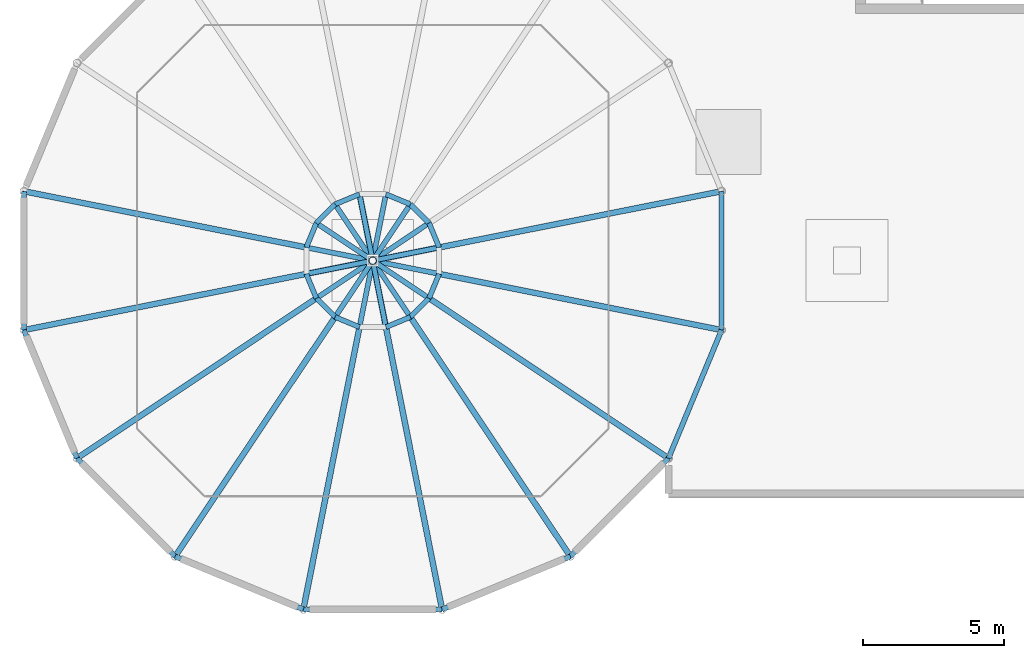
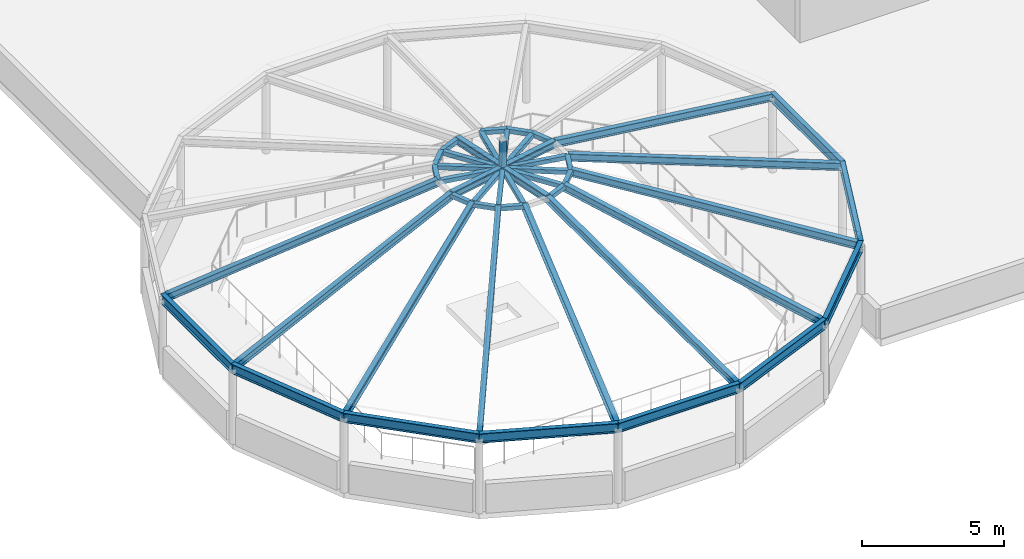
# One storey, part 14 of 85: 39 members, 11 beams.
"""IFC4 building model written with IfcOpenShell, lengths in metres."""

from ifc_helpers import new_model, si_unit, direction, frame, origin, origin_2d, place, context, subcontext, project, spatial, hollow_rectangle, hollow_circle, i_section, extrude, material, material_profile, profile_set, type_object, element, save


model = new_model("IFC4")

# Units and contexts
model_context = context("Model", 3, precision=1e-05, world=origin(), true_north=direction((0.0, 1.0)))
body_context = subcontext(model_context, "Body", "Model", "MODEL_VIEW")
ifc_project = project(units=[si_unit("LENGTHUNIT", "METRE"), si_unit("AREAUNIT", "SQUARE_METRE"), si_unit("VOLUMEUNIT", "CUBIC_METRE"), si_unit("PLANEANGLEUNIT", "RADIAN"), si_unit("MASSUNIT", "GRAM", prefix="KILO")], contexts=[model_context])

# Site, building, storey
site_placement = place(None, origin())
site = spatial("IfcSite", under=ifc_project, at=site_placement, CompositionType="ELEMENT")
building_placement = place(site_placement, origin())
building = spatial("IfcBuilding", under=site, at=building_placement, Name="Almacenes y Pasaje Nevantli", CompositionType="ELEMENT")
storey_placement = place(building_placement, frame((0.0, 0.0, 22.199951171875)))
storey = spatial("IfcBuildingStorey", under=building, at=storey_placement, Name="L05", CompositionType="ELEMENT", Elevation=22.199951171875)

# Beams
ifc_material_1 = material(Name="Steel ASTM A992", Category="steel")
ifc_material_profile_1 = material_profile(ifc_material_1, i_section(OverallWidth=0.202880859375, OverallDepth=0.304931640625, WebThickness=0.007568359375, FlangeThickness=0.01318359375, at=origin_2d()), Name="IR 305x59.5")
ifc_profile_set_1 = profile_set([ifc_material_profile_1], Name="Steel ASTM A992")
beam_type_1 = type_object("IfcBeamType", Name="BM-STL-IR-305x59p5", PredefinedType="JOIST", material=ifc_profile_set_1)
for number, where, z_axis, x_axis, name in (
    (1, (10.75390625, 8.8681640625, 5.900146484375), (-0.980791383776, -0.195059635782, 0.0), (0.195059635782, -0.980791383776, 0.0), "Rotunda Lantern Dome Crown Cross Beam A"),
    (2, (7.931884765625, 10.75390625, 5.900146484375), (0.195059635782, -0.980791383776, 0.0), (0.980791383776, 0.195059635782, 0.0), "Rotunda Lantern Dome Crown Cross Beam B"),
):
    element("IfcBeam", number, at=place(storey_placement, frame(where, z_axis=z_axis, x_axis=x_axis)), inside=storey, type_object=beam_type_1, Name=name, PredefinedType="JOIST", context=body_context, shape_type="SweptSolid", body=[
        extrude(i_section(OverallWidth=0.202880859375, OverallDepth=0.304931640625, WebThickness=0.007568359375, FlangeThickness=0.01318359375, at=origin_2d()), origin(), (0.0, 0.0, 1.0), 4.800048828125),
    ])
ifc_material_2 = material(Name="Steel ASTM A992", Category="steel")
ifc_material_profile_2 = material_profile(ifc_material_2, i_section(OverallWidth=0.180908203125, OverallDepth=0.406005859375, WebThickness=0.010986328125, FlangeThickness=0.018310546875, at=origin_2d()), Name="IR 406x85.0")
ifc_profile_set_2 = profile_set([ifc_material_profile_2], Name="Steel ASTM A992")
beam_type_2 = type_object("IfcBeamType", Name="BM-STL-IR-406x85p0", PredefinedType="BEAM", material=ifc_profile_set_2)
for number, where, z_axis, x_axis, name in (
    (3, (-3.9580078125, 10.858154296875, 3.199951171875), (0.0, -1.0, 0.0), (1.0, 0.0, 0.0), "Rotunda Lantern Dome Eave Ring Beam #8"),
    (4, (-3.9580078125, 5.94189453125, 3.199951171875), (0.38272458482, -0.923862485532, 0.0), (0.923862485532, 0.38272458482, 0.0), "Rotunda Lantern Dome Eave Ring Beam #9"),
    (5, (-2.076416015625, 1.39990234375, 3.199951171875), (0.707106781187, -0.707106781187, 0.0), (0.707106781187, 0.707106781187, 0.0), "Rotunda Lantern Dome Eave Ring Beam #10"),
    (6, (1.39990234375, -2.076416015625, 3.199951171875), (0.923862485532, -0.38272458482, 0.0), (0.38272458482, 0.923862485532, 0.0), "Rotunda Lantern Dome Eave Ring Beam #11"),
    (7, (5.94189453125, -3.9580078125, 3.199951171875), (1.0, 0.0, 0.0), (0.0, 1.0, 0.0), "Rotunda Lantern Dome Eave Ring Beam #12"),
    (8, (10.858154296875, -3.9580078125, 3.199951171875), (0.923862485532, 0.38272458482, 0.0), (-0.38272458482, 0.923862485532, 0.0), "Rotunda Lantern Dome Eave Ring Beam #13"),
    (9, (15.400146484375, -2.076416015625, 3.199951171875), (0.707106781187, 0.707106781187, 0.0), (-0.707106781187, 0.707106781187, 0.0), "Rotunda Lantern Dome Eave Ring Beam #14"),
    (10, (18.87646484375, 1.39990234375, 3.199951171875), (0.382682198272, 0.923880043688, 0.0), (-0.923880043688, 0.382682198272, 0.0), "Rotunda Lantern Dome Eave Ring Beam #15"),
    (11, (20.7578125, 5.94189453125, 3.199951171875), (0.0, 1.0, 0.0), (-1.0, 0.0, 0.0), "Rotunda Lantern Dome Eave Ring Beam #16"),
):
    element("IfcBeam", number, at=place(storey_placement, frame(where, z_axis=z_axis, x_axis=x_axis)), inside=storey, type_object=beam_type_2, Name=name, PredefinedType="BEAM", context=body_context, shape_type="SweptSolid", body=[
        extrude(i_section(OverallWidth=0.180908203125, OverallDepth=0.406005859375, WebThickness=0.010986328125, FlangeThickness=0.018310546875, at=origin_2d()), origin(), (0.0, 0.0, 1.0), 4.916259765625),
    ])

# Members
ifc_material_3 = material(Name="Steel ASTM A992", Category="steel")
ifc_material_profile_3 = material_profile(ifc_material_3, i_section(OverallWidth=0.202880859375, OverallDepth=0.304931640625, WebThickness=0.007568359375, FlangeThickness=0.01318359375, at=origin_2d()), Name="IR 305x59.5")
ifc_profile_set_3 = profile_set([ifc_material_profile_3], Name="Steel ASTM A992")
member_type_1 = type_object("IfcMemberType", Name="MBR-ARCH-IR305x59", PredefinedType="USERDEFINED", material=ifc_profile_set_3)
member_1_placement = place(storey_placement, frame((20.7578125, 10.858154296875, 3.199951171875), z_axis=(-0.948123605907, -0.188601999018, 0.255911926038), x_axis=(0.195098768209, -0.980783600313, 0.0)))
element("IfcMember", 12, at=member_1_placement, inside=storey, type_object=member_type_1, Name="Rotunda Lantern Dome Radial Rib #1", ObjectType="ARCH RIB", PredefinedType="USERDEFINED", context=body_context, shape_type="SweptSolid", body=[
    extrude(i_section(OverallWidth=0.202880859375, OverallDepth=0.304931640625, WebThickness=0.007568359375, FlangeThickness=0.01318359375, at=origin_2d()), origin(), (0.0, 0.0, 1.0), 10.55126953125),
])
for number, where, z_axis, x_axis, name in (
    (13, (-3.9580078125, 10.858154296875, 3.199951171875), (0.948125944246, -0.188597861521, 0.255906311915), (0.195094188253, 0.980784511353, 0.0), "Rotunda Lantern Dome Radial Rib #8"),
    (14, (-3.9580078125, 5.94189453125, 3.199951171875), (0.948125944246, 0.188597861521, 0.255906311915), (-0.195094188253, 0.980784511353, 0.0), "Rotunda Lantern Dome Radial Rib #9"),
):
    element("IfcMember", number, at=place(storey_placement, frame(where, z_axis=z_axis, x_axis=x_axis)), inside=storey, type_object=member_type_1, Name=name, ObjectType="ARCH RIB", PredefinedType="USERDEFINED", context=body_context, shape_type="SweptSolid", body=[
        extrude(i_section(OverallWidth=0.202880859375, OverallDepth=0.304931640625, WebThickness=0.007568359375, FlangeThickness=0.01318359375, at=origin_2d()), origin(), (0.0, 0.0, 1.0), 10.551513671875),
    ])
for number, where, z_axis, x_axis, name in (
    (15, (-2.076416015625, 1.39990234375, 3.199951171875), (0.803783901724, 0.53706684734, 0.255911392512), (-0.555567096845, 0.831471707819, 0.0), "Rotunda Lantern Dome Radial Rib #10"),
    (16, (1.39990234375, -2.076416015625, 3.199951171875), (0.53706684734, 0.803783901724, 0.255911392512), (-0.831471707819, 0.555567096845, 0.0), "Rotunda Lantern Dome Radial Rib #11"),
):
    element("IfcMember", number, at=place(storey_placement, frame(where, z_axis=z_axis, x_axis=x_axis)), inside=storey, type_object=member_type_1, Name=name, ObjectType="ARCH RIB", PredefinedType="USERDEFINED", context=body_context, shape_type="SweptSolid", body=[
        extrude(i_section(OverallWidth=0.202880859375, OverallDepth=0.304931640625, WebThickness=0.007568359375, FlangeThickness=0.01318359375, at=origin_2d()), origin(), (0.0, 0.0, 1.0), 10.55126953125),
    ])
for number, where, z_axis, x_axis, name in (
    (17, (5.94189453125, -3.9580078125, 3.199951171875), (0.188597861521, 0.948125944246, 0.255906311915), (-0.980784511353, 0.195094188253, 0.0), "Rotunda Lantern Dome Radial Rib #12"),
    (18, (10.858154296875, -3.9580078125, 3.199951171875), (-0.188597861521, 0.948125944246, 0.255906311915), (-0.980784511353, -0.195094188253, 0.0), "Rotunda Lantern Dome Radial Rib #13"),
):
    element("IfcMember", number, at=place(storey_placement, frame(where, z_axis=z_axis, x_axis=x_axis)), inside=storey, type_object=member_type_1, Name=name, ObjectType="ARCH RIB", PredefinedType="USERDEFINED", context=body_context, shape_type="SweptSolid", body=[
        extrude(i_section(OverallWidth=0.202880859375, OverallDepth=0.304931640625, WebThickness=0.007568359375, FlangeThickness=0.01318359375, at=origin_2d()), origin(), (0.0, 0.0, 1.0), 10.551513671875),
    ])
for number, where, z_axis, x_axis, name in (
    (19, (15.400146484375, -2.076416015625, 3.199951171875), (-0.53706684734, 0.803783901724, 0.255911392512), (-0.831471707819, -0.555567096845, 0.0), "Rotunda Lantern Dome Radial Rib #14"),
    (20, (18.87646484375, 1.39990234375, 3.199951171875), (-0.803783901724, 0.53706684734, 0.255911392512), (-0.555567096845, -0.831471707819, 0.0), "Rotunda Lantern Dome Radial Rib #15"),
    (21, (20.7578125, 5.94189453125, 3.199951171875), (-0.948123605907, 0.188601999018, 0.255911926038), (-0.195098768209, -0.980783600313, 0.0), "Rotunda Lantern Dome Radial Rib #16"),
):
    element("IfcMember", number, at=place(storey_placement, frame(where, z_axis=z_axis, x_axis=x_axis)), inside=storey, type_object=member_type_1, Name=name, ObjectType="ARCH RIB", PredefinedType="USERDEFINED", context=body_context, shape_type="SweptSolid", body=[
        extrude(i_section(OverallWidth=0.202880859375, OverallDepth=0.304931640625, WebThickness=0.007568359375, FlangeThickness=0.01318359375, at=origin_2d()), origin(), (0.0, 0.0, 1.0), 10.55126953125),
    ])
ifc_material_4 = material(Name="Steel ASTM A500 Grade C", Category="steel")
ifc_material_profile_4 = material_profile(ifc_material_4, hollow_circle(Radius=0.136474609375, WallThickness=0.00927734375, at=origin_2d()), Name="OC 273x9.3")
ifc_profile_set_4 = profile_set([ifc_material_profile_4], Name="Steel ASTM A500 Grade C")
member_type_2 = type_object("IfcMemberType", Name="MBR-BRC-OC273", PredefinedType="BRACE", material=ifc_profile_set_4)
member_2_placement = place(storey_placement, frame((8.39990234375, 8.39990234375, 5.900146484375), z_axis=(0.0, 0.0, 1.0), x_axis=(1.0, 0.0, 0.0)))
element("IfcMember", 22, at=member_2_placement, inside=storey, type_object=member_type_2, Name="Rotunda Lantern Dome Apex Finial Spire", PredefinedType="BRACE", context=body_context, shape_type="SweptSolid", body=[
    extrude(hollow_circle(Radius=0.136474609375, WallThickness=0.00927734375, at=origin_2d()), origin(), (0.0, 0.0, 1.0), 1.25),
])
ifc_material_5 = material(Name="Steel ASTM A500 Grade C", Category="steel")
ifc_material_profile_5 = material_profile(ifc_material_5, hollow_rectangle(XDim=0.177734375, YDim=0.177734375, WallThickness=0.0078125, at=origin_2d()), Name="OR 178x178x7.9")
ifc_profile_set_5 = profile_set([ifc_material_profile_5], Name="Steel ASTM A500 Grade C")
member_type_3 = type_object("IfcMemberType", Name="MBR-PUR-OR178x178", PredefinedType="PURLIN", material=ifc_profile_set_5)
for number, where, z_axis, x_axis, name in (
    (23, (8.39990234375, 8.39990234375, 5.900146484375), (0.980783587963, 0.195098830296, 0.0), (-0.195098830296, 0.980783587963, 0.0), "Rotunda Lantern Dome Apex Spoke #1"),
    (24, (8.39990234375, 8.39990234375, 5.900146484375), (0.831455148387, 0.555591879189, 0.0), (-0.555591879189, 0.831455148387, 0.0), "Rotunda Lantern Dome Apex Spoke #2"),
    (25, (8.39990234375, 8.39990234375, 5.900146484375), (0.555591879189, 0.831455148387, 0.0), (-0.831455148387, 0.555591879189, 0.0), "Rotunda Lantern Dome Apex Spoke #3"),
    (26, (8.39990234375, 8.39990234375, 5.900146484375), (0.195098830296, 0.980783587963, 0.0), (-0.980783587963, 0.195098830296, 0.0), "Rotunda Lantern Dome Apex Spoke #4"),
    (27, (8.39990234375, 8.39990234375, 5.900146484375), (-0.195000979273, 0.98080304755, 0.0), (-0.98080304755, -0.195000979273, 0.0), "Rotunda Lantern Dome Apex Spoke #5"),
):
    element("IfcMember", number, at=place(storey_placement, frame(where, z_axis=z_axis, x_axis=x_axis)), inside=storey, type_object=member_type_3, Name=name, PredefinedType="PURLIN", context=body_context, shape_type="SweptSolid", body=[
        extrude(hollow_rectangle(XDim=0.177734375, YDim=0.177734375, WallThickness=0.0078125, at=origin_2d()), origin(), (0.0, 0.0, 1.0), 2.400146484375),
    ])
for number, where, z_axis, x_axis, name in (
    (28, (8.39990234375, 8.39990234375, 5.900146484375), (-0.555521552744, 0.831502137361, 0.0), (-0.831502137361, -0.555521552744, 0.0), "Rotunda Lantern Dome Apex Spoke #6"),
    (29, (8.39990234375, 8.39990234375, 5.900146484375), (-0.831423745392, 0.555638871569, 0.0), (-0.555638871569, -0.831423745392, 0.0), "Rotunda Lantern Dome Apex Spoke #7"),
    (30, (8.39990234375, 8.39990234375, 5.900146484375), (-0.980779715561, 0.195118296281, 0.0), (-0.195118296281, -0.980779715561, 0.0), "Rotunda Lantern Dome Apex Spoke #8"),
    (31, (8.39990234375, 8.39990234375, 5.900146484375), (-0.980799178955, -0.195020436268, 0.0), (0.195020436268, -0.980799178955, 0.0), "Rotunda Lantern Dome Apex Spoke #9"),
    (32, (8.39990234375, 8.39990234375, 5.900146484375), (-0.831470740541, -0.555568544487, 0.0), (0.555568544487, -0.831470740541, 0.0), "Rotunda Lantern Dome Apex Spoke #10"),
    (33, (8.39990234375, 8.39990234375, 5.900146484375), (-0.555568544487, -0.831470740541, 0.0), (0.831470740541, -0.555568544487, 0.0), "Rotunda Lantern Dome Apex Spoke #11"),
    (34, (8.39990234375, 8.39990234375, 5.900146484375), (-0.195020436268, -0.980799178955, 0.0), (0.980799178955, -0.195020436268, 0.0), "Rotunda Lantern Dome Apex Spoke #12"),
    (35, (8.39990234375, 8.39990234375, 5.900146484375), (0.195118296281, -0.980779715561, 0.0), (0.980779715561, 0.195118296281, 0.0), "Rotunda Lantern Dome Apex Spoke #13"),
    (36, (8.39990234375, 8.39990234375, 5.900146484375), (0.555638871569, -0.831423745392, 0.0), (0.831423745392, 0.555638871569, 0.0), "Rotunda Lantern Dome Apex Spoke #14"),
    (37, (8.39990234375, 8.39990234375, 5.900146484375), (0.831502137361, -0.555521552744, 0.0), (0.555521552744, 0.831502137361, 0.0), "Rotunda Lantern Dome Apex Spoke #15"),
):
    element("IfcMember", number, at=place(storey_placement, frame(where, z_axis=z_axis, x_axis=x_axis)), inside=storey, type_object=member_type_3, Name=name, PredefinedType="PURLIN", context=body_context, shape_type="SweptSolid", body=[
        extrude(hollow_rectangle(XDim=0.177734375, YDim=0.177734375, WallThickness=0.0078125, at=origin_2d()), origin(), (0.0, 0.0, 1.0), 2.39990234375),
    ])
member_3_placement = place(storey_placement, frame((8.39990234375, 8.39990234375, 5.900146484375), z_axis=(0.98080304755, -0.195000979273, 0.0), x_axis=(0.195000979273, 0.98080304755, 0.0)))
element("IfcMember", 38, at=member_3_placement, inside=storey, type_object=member_type_3, Name="Rotunda Lantern Dome Apex Spoke #16", PredefinedType="PURLIN", context=body_context, shape_type="SweptSolid", body=[
    extrude(hollow_rectangle(XDim=0.177734375, YDim=0.177734375, WallThickness=0.0078125, at=origin_2d()), origin(), (0.0, 0.0, 1.0), 2.400146484375),
])
member_4_placement = place(storey_placement, frame((10.75390625, 8.8681640625, 5.900146484375), z_axis=(-0.382689470177, 0.923877031545, 0.0), x_axis=(-0.923877031545, -0.382689470177, 0.0)))
element("IfcMember", 39, at=member_4_placement, inside=storey, type_object=member_type_3, Name="Rotunda Lantern Dome Compression Ring Purlin #1", PredefinedType="PURLIN", context=body_context, shape_type="SweptSolid", body=[
    extrude(hollow_rectangle(XDim=0.177734375, YDim=0.177734375, WallThickness=0.0078125, at=origin_2d()), origin(), (0.0, 0.0, 1.0), 0.9365234375),
])
member_5_placement = place(storey_placement, frame((10.3955078125, 9.7333984375, 5.900146484375), z_axis=(-0.707106781187, 0.707106781187, 0.0), x_axis=(-0.707106781187, -0.707106781187, 0.0)))
element("IfcMember", 40, at=member_5_placement, inside=storey, type_object=member_type_3, Name="Rotunda Lantern Dome Compression Ring Purlin #2", PredefinedType="PURLIN", context=body_context, shape_type="SweptSolid", body=[
    extrude(hollow_rectangle(XDim=0.177734375, YDim=0.177734375, WallThickness=0.0078125, at=origin_2d()), origin(), (0.0, 0.0, 1.0), 0.936279296875),
])
for number, where, z_axis, x_axis, name in (
    (41, (9.7333984375, 10.3955078125, 5.900146484375), (-0.923877031545, 0.382689470177, 0.0), (-0.382689470177, -0.923877031545, 0.0), "Rotunda Lantern Dome Compression Ring Purlin #3"),
    (42, (7.931884765625, 10.75390625, 5.900146484375), (-0.923877031545, -0.382689470177, 0.0), (0.382689470177, -0.923877031545, 0.0), "Rotunda Lantern Dome Compression Ring Purlin #5"),
):
    element("IfcMember", number, at=place(storey_placement, frame(where, z_axis=z_axis, x_axis=x_axis)), inside=storey, type_object=member_type_3, Name=name, PredefinedType="PURLIN", context=body_context, shape_type="SweptSolid", body=[
        extrude(hollow_rectangle(XDim=0.177734375, YDim=0.177734375, WallThickness=0.0078125, at=origin_2d()), origin(), (0.0, 0.0, 1.0), 0.9365234375),
    ])
member_6_placement = place(storey_placement, frame((7.066650390625, 10.3955078125, 5.900146484375), z_axis=(-0.707106781187, -0.707106781187, 0.0), x_axis=(0.707106781187, -0.707106781187, 0.0)))
element("IfcMember", 43, at=member_6_placement, inside=storey, type_object=member_type_3, Name="Rotunda Lantern Dome Compression Ring Purlin #6", PredefinedType="PURLIN", context=body_context, shape_type="SweptSolid", body=[
    extrude(hollow_rectangle(XDim=0.177734375, YDim=0.177734375, WallThickness=0.0078125, at=origin_2d()), origin(), (0.0, 0.0, 1.0), 0.936279296875),
])
for number, where, z_axis, x_axis, name in (
    (44, (6.404541015625, 9.7333984375, 5.900146484375), (-0.382689470177, -0.923877031545, 0.0), (0.923877031545, -0.382689470177, 0.0), "Rotunda Lantern Dome Compression Ring Purlin #7"),
    (45, (6.046142578125, 7.931884765625, 5.900146484375), (0.382689470177, -0.923877031545, 0.0), (0.923877031545, 0.382689470177, 0.0), "Rotunda Lantern Dome Compression Ring Purlin #9"),
):
    element("IfcMember", number, at=place(storey_placement, frame(where, z_axis=z_axis, x_axis=x_axis)), inside=storey, type_object=member_type_3, Name=name, PredefinedType="PURLIN", context=body_context, shape_type="SweptSolid", body=[
        extrude(hollow_rectangle(XDim=0.177734375, YDim=0.177734375, WallThickness=0.0078125, at=origin_2d()), origin(), (0.0, 0.0, 1.0), 0.9365234375),
    ])
member_7_placement = place(storey_placement, frame((6.404541015625, 7.066650390625, 5.900146484375), z_axis=(0.707106781187, -0.707106781187, 0.0), x_axis=(0.707106781187, 0.707106781187, 0.0)))
element("IfcMember", 46, at=member_7_placement, inside=storey, type_object=member_type_3, Name="Rotunda Lantern Dome Compression Ring Purlin #10", PredefinedType="PURLIN", context=body_context, shape_type="SweptSolid", body=[
    extrude(hollow_rectangle(XDim=0.177734375, YDim=0.177734375, WallThickness=0.0078125, at=origin_2d()), origin(), (0.0, 0.0, 1.0), 0.936279296875),
])
for number, where, z_axis, x_axis, name in (
    (47, (7.066650390625, 6.404541015625, 5.900146484375), (0.923877031545, -0.382689470177, 0.0), (0.382689470177, 0.923877031545, 0.0), "Rotunda Lantern Dome Compression Ring Purlin #11"),
    (48, (8.8681640625, 6.046142578125, 5.900146484375), (0.923877031545, 0.382689470177, 0.0), (-0.382689470177, 0.923877031545, 0.0), "Rotunda Lantern Dome Compression Ring Purlin #13"),
):
    element("IfcMember", number, at=place(storey_placement, frame(where, z_axis=z_axis, x_axis=x_axis)), inside=storey, type_object=member_type_3, Name=name, PredefinedType="PURLIN", context=body_context, shape_type="SweptSolid", body=[
        extrude(hollow_rectangle(XDim=0.177734375, YDim=0.177734375, WallThickness=0.0078125, at=origin_2d()), origin(), (0.0, 0.0, 1.0), 0.9365234375),
    ])
member_8_placement = place(storey_placement, frame((9.7333984375, 6.404541015625, 5.900146484375), z_axis=(0.707106781187, 0.707106781187, 0.0), x_axis=(-0.707106781187, 0.707106781187, 0.0)))
element("IfcMember", 49, at=member_8_placement, inside=storey, type_object=member_type_3, Name="Rotunda Lantern Dome Compression Ring Purlin #14", PredefinedType="PURLIN", context=body_context, shape_type="SweptSolid", body=[
    extrude(hollow_rectangle(XDim=0.177734375, YDim=0.177734375, WallThickness=0.0078125, at=origin_2d()), origin(), (0.0, 0.0, 1.0), 0.936279296875),
])
member_9_placement = place(storey_placement, frame((10.3955078125, 7.066650390625, 5.900146484375), z_axis=(0.382689470177, 0.923877031545, 0.0), x_axis=(-0.923877031545, 0.382689470177, 0.0)))
element("IfcMember", 50, at=member_9_placement, inside=storey, type_object=member_type_3, Name="Rotunda Lantern Dome Compression Ring Purlin #15", PredefinedType="PURLIN", context=body_context, shape_type="SweptSolid", body=[
    extrude(hollow_rectangle(XDim=0.177734375, YDim=0.177734375, WallThickness=0.0078125, at=origin_2d()), origin(), (0.0, 0.0, 1.0), 0.9365234375),
])

save(model, "model.ifc")
